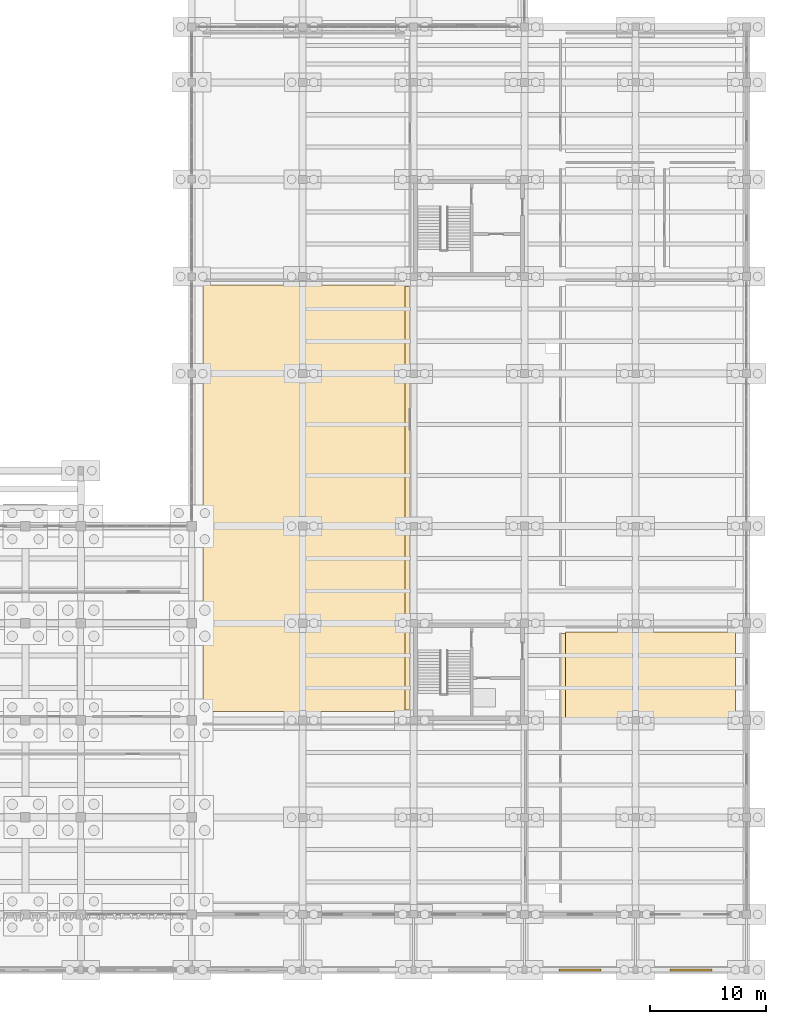
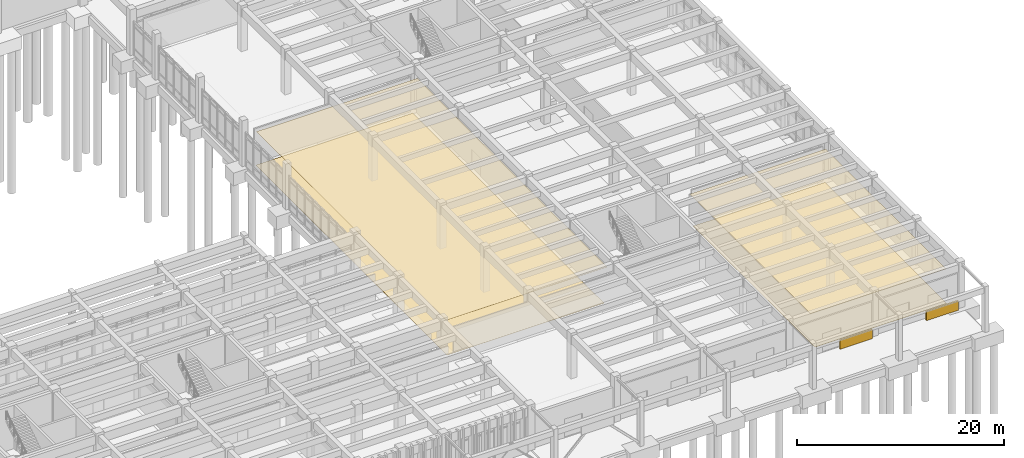
# One storey, part 98 of 102: 4 coverings, 2 shading devices.
"""IFC4 building model written with IfcOpenShell, lengths in metres."""

from ifc_helpers import new_model, si_unit, direction, frame, origin, origin_2d, place, context, subcontext, project, spatial, polyline, rectangle, outline, extrude, material, layer, layer_set, type_object, element, save


model = new_model("IFC4")

# Units and contexts
model_context = context("Model", 3, precision=1e-05, world=origin(), true_north=direction((0.0, 1.0)))
body_context = subcontext(model_context, "Body", "Model", "MODEL_VIEW")
ifc_project = project(units=[si_unit("LENGTHUNIT", "METRE"), si_unit("AREAUNIT", "SQUARE_METRE"), si_unit("VOLUMEUNIT", "CUBIC_METRE"), si_unit("PLANEANGLEUNIT", "RADIAN"), si_unit("MASSUNIT", "GRAM", prefix="KILO")], contexts=[model_context])

# Site, building, storey
site_placement = place(None, origin())
site = spatial("IfcSite", under=ifc_project, at=site_placement, CompositionType="ELEMENT")
building_placement = place(site_placement, origin())
building = spatial("IfcBuilding", under=site, at=building_placement, Name="Kolvemor Railside Polytechnic", CompositionType="ELEMENT")
storey_placement = place(building_placement, origin())
storey = spatial("IfcBuildingStorey", under=building, at=storey_placement, Name="L00", CompositionType="ELEMENT", Elevation=0.0)

# Coverings
ifc_material_1 = material(Name="Perforated acoustic mineral-fibre and timber-slat ceiling", Category="wood")
ifc_layer_1 = layer(ifc_material_1, 0.02490234375, Name="COV-CEIL-1")
ifc_layer_set_1 = layer_set([ifc_layer_1], Name="Perforated acoustic mineral-fibre and timber-slat ceiling")
covering_type_1 = type_object("IfcCoveringType", Name="COV-CEIL-1", PredefinedType="CEILING", material=ifc_layer_set_1)
covering_1_placement = place(storey_placement, frame((0.0, 0.0, 4.014892578125)))
element("IfcCovering", 1, at=covering_1_placement, inside=storey, type_object=covering_type_1, Name="Refectory Dining Hall Acoustic Ceiling", PredefinedType="CEILING", context=body_context, shape_type="SweptSolid", body=[
    extrude(outline(polyline([(135.35009765625, 22.47998046875), (153.280029296875, 22.47998046875), (153.280029296875, 59.1201171875), (135.35009765625, 59.1201171875), (135.35009765625, 22.47998046875)])), origin(), (0.0, 0.0, 1.0), 0.025146484375),
])
ifc_material_2 = material(Name="Perforated acoustic mineral-fibre and timber-slat ceiling", Category="wood")
ifc_layer_2 = layer(ifc_material_2, 0.0400390625, Name="COV-CEIL-4")
ifc_layer_set_2 = layer_set([ifc_layer_2], Name="Perforated acoustic mineral-fibre and timber-slat ceiling")
covering_type_2 = type_object("IfcCoveringType", Name="COV-CEIL-4", PredefinedType="CEILING", material=ifc_layer_set_2)
covering_2_placement = place(storey_placement, frame((0.0, 0.0, 4.0)))
element("IfcCovering", 2, at=covering_2_placement, inside=storey, type_object=covering_type_2, Name="Campus Technical Bookshop and Cafe Acoustic Ceiling", PredefinedType="CEILING", context=body_context, shape_type="SweptSolid", body=[
    extrude(outline(polyline([(166.320068359375, 5.8798828125), (181.449951171875, 5.8798828125), (181.449951171875, 29.1201171875), (166.320068359375, 29.1201171875), (166.320068359375, 5.8798828125)])), origin(), (0.0, 0.0, 1.0), 0.0400390625),
])
ifc_material_3 = material(Name="Polished coral-aggregate terrazzo and laboratory epoxy flooring")
ifc_layer_3 = layer(ifc_material_3, 0.02001953125, Name="COV-FLR-1")
ifc_layer_set_3 = layer_set([ifc_layer_3], Name="Polished coral-aggregate terrazzo and laboratory epoxy flooring")
covering_type_3 = type_object("IfcCoveringType", Name="COV-FLR-1", PredefinedType="FLOORING", material=ifc_layer_set_3)
covering_3_placement = place(storey_placement, origin())
element("IfcCovering", 3, at=covering_3_placement, inside=storey, type_object=covering_type_3, Name="Refectory Dining Hall Floor Finish", PredefinedType="FLOORING", context=body_context, shape_type="SweptSolid", body=[
    extrude(outline(polyline([(135.35009765625, 22.35009765625), (152.85009765625, 22.35009765625), (152.85009765625, 59.25), (135.35009765625, 59.25), (135.35009765625, 22.35009765625)])), origin(), (0.0, 0.0, 1.0), 0.02001953125),
])
ifc_material_4 = material(Name="Polished coral-aggregate terrazzo and laboratory epoxy flooring")
ifc_layer_4 = layer(ifc_material_4, 0.034912109375, Name="COV-FLR-4")
ifc_layer_set_4 = layer_set([ifc_layer_4], Name="Polished coral-aggregate terrazzo and laboratory epoxy flooring")
covering_type_4 = type_object("IfcCoveringType", Name="COV-FLR-4", PredefinedType="FLOORING", material=ifc_layer_set_4)
covering_4_placement = place(storey_placement, origin())
element("IfcCovering", 4, at=covering_4_placement, inside=storey, type_object=covering_type_4, Name="Campus Technical Bookshop and Cafe Floor Finish", PredefinedType="FLOORING", context=body_context, shape_type="SweptSolid", body=[
    extrude(outline(polyline([(166.75, 5.75), (181.449951171875, 5.75), (181.449951171875, 29.25), (166.75, 29.25), (166.75, 5.75)])), origin(), (0.0, 0.0, 1.0), 0.034912109375),
])

# Shading devices
ifc_material_5 = material(Name="Champagne-bronze PVDF-anodised hurricane storm louvre")
shading_device_type = type_object("IfcShadingDeviceType", Name="SHD-LOUVRE-STORM", PredefinedType="JALOUSIE", material=ifc_material_5)
for number, where, z_axis, x_axis, name in (
    (5, (168.0, 0.0, 3.5), (0.0, 0.0, 1.0), (1.0, 0.0, 0.0), "Hurricane Storm Louvre SLV-15"),
    (6, (177.60009765625, 0.0, 3.5), (0.0, 0.0, 1.0), (1.0, 0.0, 0.0), "Hurricane Storm Louvre SLV-16"),
):
    element("IfcShadingDevice", number, at=place(storey_placement, frame(where, z_axis=z_axis, x_axis=x_axis)), inside=storey, type_object=shading_device_type, Name=name, PredefinedType="JALOUSIE", context=body_context, shape_type="SweptSolid", body=[
        extrude(rectangle(XDim=3.60009765625, YDim=0.179931640625, at=origin_2d()), origin(), (0.0, 0.0, 1.0), 1.10009765625),
    ])

save(model, "model.ifc")
